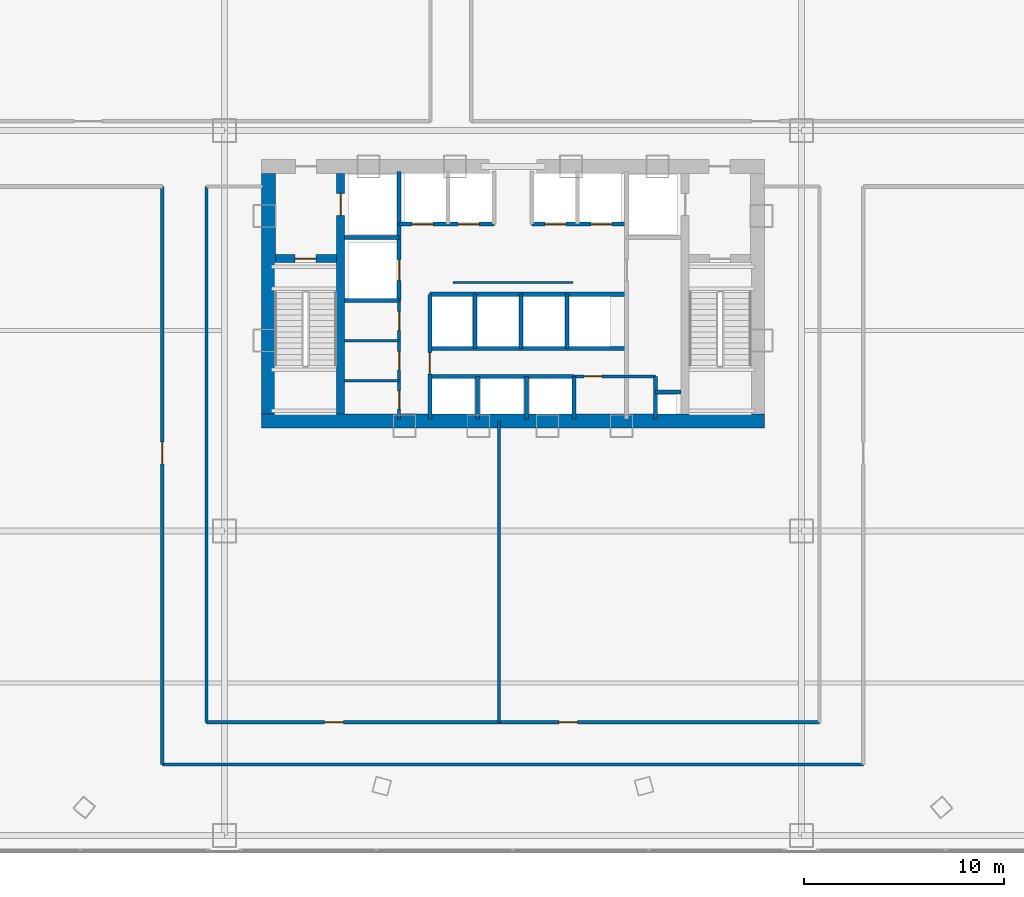
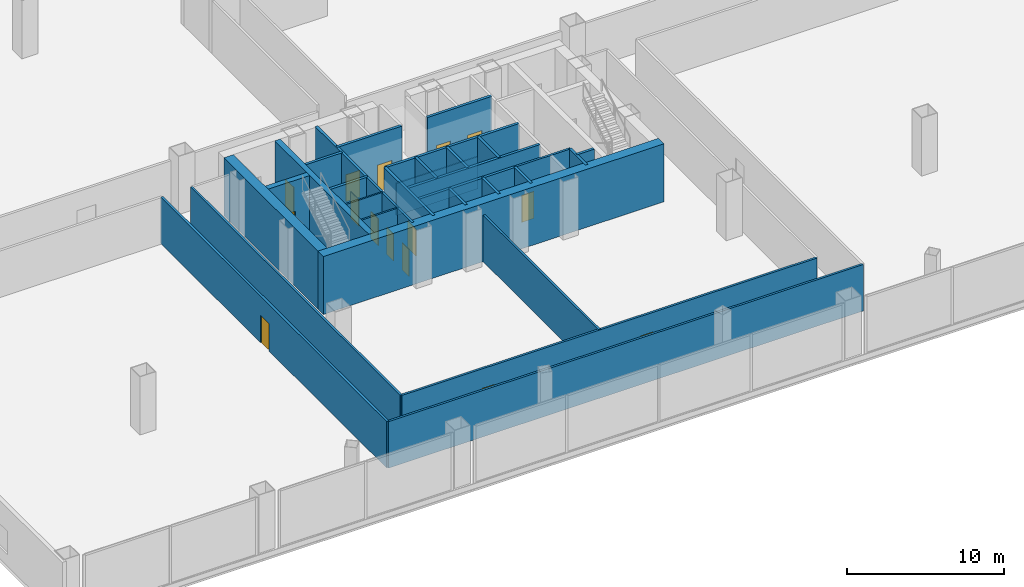
# One storey, part 33 of 40: 31 walls, 15 doors, 15 openings.
"""IFC4 building model written with IfcOpenShell, lengths in metres."""

from ifc_helpers import new_model, si_unit, direction, frame, frame_2d, origin, origin_with_axes, place, context, subcontext, project, spatial, rectangle, extrude, source, transform, mapped, material, layer, layer_set, type_object, element, fill, save


model = new_model("IFC4")

# Units and contexts
model_context = context("Model", 3, precision=1e-05, world=origin(), true_north=direction((0.0, 1.0)))
body_context = subcontext(model_context, "Body", "Model", "MODEL_VIEW")
ifc_project = project(units=[si_unit("LENGTHUNIT", "METRE"), si_unit("AREAUNIT", "SQUARE_METRE"), si_unit("VOLUMEUNIT", "CUBIC_METRE"), si_unit("PLANEANGLEUNIT", "RADIAN"), si_unit("MASSUNIT", "GRAM", prefix="KILO"), si_unit("THERMODYNAMICTEMPERATUREUNIT", "KELVIN"), si_unit("POWERUNIT", "WATT")], contexts=[model_context])

# Site, building, storey
site_placement = place(None, origin())
site = spatial("IfcSite", under=ifc_project, at=site_placement, CompositionType="ELEMENT")
building_placement = place(site_placement, origin())
building = spatial("IfcBuilding", under=site, at=building_placement, Name="Yunzhuo Pagoda Commons", CompositionType="ELEMENT")
storey_placement = place(building_placement, frame((0.0, 0.0, 14.39990234375)))
storey = spatial("IfcBuildingStorey", under=building, at=storey_placement, Name="L04", CompositionType="ELEMENT", Elevation=14.39990234375)

# Walls
ifc_material_1 = material(Name="Concrete C60", Category="concrete")
ifc_layer_1 = layer(ifc_material_1, 0.699951171875)
ifc_layer_set_1 = layer_set([ifc_layer_1], Name="Concrete C60")
wall_type_1 = type_object("IfcWallType", Name="W-C01 Lower Core Shear Wall 700", PredefinedType="SHEAR", material=ifc_layer_set_1)
wall_1_placement = place(storey_placement, frame((35.449951171875, 27.5, 0.0), z_axis=(0.0, 0.0, 1.0), x_axis=(1.0, 0.0, 0.0)))
element("IfcWall", 1, at=wall_1_placement, inside=storey, type_object=wall_type_1, Name="L04 core shear wall S", PredefinedType="SHEAR", context=body_context, shape_type="SweptSolid", body=[
    extrude(rectangle(XDim=25.10009765625, YDim=0.699951171875, at=frame_2d((12.550048828125, 0.0))), origin(), (0.0, 0.0, 1.0), 4.52001953125),
])
wall_2_placement = place(storey_placement, frame((35.800048828125, 27.85009765625, 0.0), z_axis=(0.0, 0.0, 1.0), x_axis=(0.0, 1.0, 0.0)))
element("IfcWall", 2, at=wall_2_placement, inside=storey, type_object=wall_type_1, Name="L04 core shear wall W", PredefinedType="SHEAR", context=body_context, shape_type="SweptSolid", body=[
    extrude(rectangle(XDim=12.0, YDim=0.699951171875, at=frame_2d((6.0, 0.0))), origin(), (0.0, 0.0, 1.0), 4.52001953125),
])

# Wall, openings, doors
ifc_material_2 = material(Name="Gypsum plasterboard on acoustic stud")
ifc_layer_2 = layer(ifc_material_2, 0.159912109375)
ifc_layer_set_2 = layer_set([ifc_layer_2], Name="Gypsum plasterboard on acoustic stud")
wall_type_2 = type_object("IfcWallType", Name="W-COR1 Tower Rated Corridor Wall 160", PredefinedType="PARTITIONING", material=ifc_layer_set_2)
wall_3_placement = place(storey_placement, frame((42.320068359375, 27.60009765625, 0.0), z_axis=(0.0, 0.0, 1.0), x_axis=(0.0, 1.0, 0.0)))
wall_3 = element("IfcWall", 3, at=wall_3_placement, inside=storey, type_object=wall_type_2, Name="L04 interior wall IW-L04-CSWE", PredefinedType="PARTITIONING", context=body_context, shape_type="SweptSolid", body=[
    extrude(rectangle(XDim=5.89990234375, YDim=0.159912109375, at=frame_2d((2.949951171875, 0.0))), origin(), (0.0, 0.0, 1.0), 4.52001953125),
])
opening_1_placement = place(wall_3_placement, frame((0.5, 0.0, 0.0)))
opening_1 = element("IfcOpeningElement", 4, at=opening_1_placement, cuts=wall_3, Name="Opening D-03", PredefinedType="OPENING", context=body_context, shape_type="SweptSolid", body=[
    extrude(rectangle(XDim=0.89990234375, YDim=2.10009765625, at=frame_2d((0.449951171875, 1.050048828125))), frame((0.0, 0.08984375, 0.0), z_axis=(0.0, -1.0, 0.0), x_axis=(1.0, 0.0, 0.0)), (0.0, 0.0, 1.0), 0.179931640625),
])
opening_2_placement = place(wall_3_placement, frame((2.449951171875, 0.0, 0.0)))
opening_2 = element("IfcOpeningElement", 5, at=opening_2_placement, cuts=wall_3, Name="Opening D-03", PredefinedType="OPENING", context=body_context, shape_type="SweptSolid", body=[
    extrude(rectangle(XDim=0.89990234375, YDim=2.10009765625, at=frame_2d((0.449951171875, 1.050048828125))), frame((0.0, 0.08984375, 0.0), z_axis=(0.0, -1.0, 0.0), x_axis=(1.0, 0.0, 0.0)), (0.0, 0.0, 1.0), 0.179931640625),
])
opening_3_placement = place(wall_3_placement, frame((4.419921875, 0.0, 0.0)))
opening_3 = element("IfcOpeningElement", 6, at=opening_3_placement, cuts=wall_3, Name="Opening D-11", PredefinedType="OPENING", context=body_context, shape_type="SweptSolid", body=[
    extrude(rectangle(XDim=0.93994140625, YDim=2.10009765625, at=frame_2d((0.469970703125, 1.050048828125))), frame((0.0, 0.08984375, 0.0), z_axis=(0.0, -1.0, 0.0), x_axis=(1.0, 0.0, 0.0)), (0.0, 0.0, 1.0), 0.179931640625),
])
ifc_material_3 = material(Name="Galvanized fire-resisting metal leaf")
door_type_1 = type_object("IfcDoorType", Name="D-03 Core Service Fire Door 900x2100", OperationType="NOTDEFINED", PredefinedType="DOOR", material=ifc_material_3)
shared_shape_1 = source(origin(), body_context, "Body", "SweptSolid", [
    extrude(rectangle(XDim=0.89990234375, YDim=2.10009765625, at=frame_2d((0.449951171875, 1.050048828125))), frame((0.0, 0.02490234375, 0.0), z_axis=(0.0, -1.0, 0.0), x_axis=(1.0, 0.0, 0.0)), (0.0, 0.0, 1.0), 0.050048828125),
])
door_1_placement = place(opening_1_placement, origin_with_axes())
door_1 = element("IfcDoor", 7, at=door_1_placement, inside=storey, type_object=door_type_1, Name="L04 switch door", OperationType="SINGLE_SWING_RIGHT", OverallHeight=2.10009765625, OverallWidth=0.89990234375, PredefinedType="DOOR", context=body_context, shape_type="MappedRepresentation", body=[
    mapped(shared_shape_1, transform((0.0, 0.0, 0.0), scale=1.0)),
])
fill(opening_1, door_1)
door_2_placement = place(opening_2_placement, origin_with_axes())
door_2 = element("IfcDoor", 8, at=door_2_placement, inside=storey, type_object=door_type_1, Name="L04 cleaner door", OperationType="SINGLE_SWING_RIGHT", OverallHeight=2.10009765625, OverallWidth=0.89990234375, PredefinedType="DOOR", context=body_context, shape_type="MappedRepresentation", body=[
    mapped(shared_shape_1, transform((0.0, 0.0, 0.0), scale=1.0)),
])
fill(opening_2, door_2)
door_type_2 = type_object("IfcDoorType", Name="D-11 Accessible Washroom Fire Door 940x2100", OperationType="NOTDEFINED", PredefinedType="DOOR", material=ifc_material_3)
shared_shape_2 = source(origin(), body_context, "Body", "SweptSolid", [
    extrude(rectangle(XDim=0.93994140625, YDim=2.10009765625, at=frame_2d((0.469970703125, 1.050048828125))), frame((0.0, 0.02490234375, 0.0), z_axis=(0.0, -1.0, 0.0), x_axis=(1.0, 0.0, 0.0)), (0.0, 0.0, 1.0), 0.050048828125),
])
door_3_placement = place(opening_3_placement, origin_with_axes())
door_3 = element("IfcDoor", 9, at=door_3_placement, inside=storey, type_object=door_type_2, Name="L04 core WC door", OperationType="SINGLE_SWING_LEFT", OverallHeight=2.10009765625, OverallWidth=0.93994140625, PredefinedType="DOOR", context=body_context, shape_type="MappedRepresentation", body=[
    mapped(shared_shape_2, transform((0.0, 0.0, 0.0), scale=1.0)),
])
fill(opening_3, door_3)

# Wall, opening, door
wall_4_placement = place(storey_placement, frame((51.050048828125, 29.719970703125, 0.0), z_axis=(0.0, 0.0, 1.0), x_axis=(1.0, 0.0, 0.0)))
wall_4 = element("IfcWall", 10, at=wall_4_placement, inside=storey, type_object=wall_type_2, Name="L04 interior wall IW-L04-CSES", PredefinedType="PARTITIONING", context=body_context, shape_type="SweptSolid", body=[
    extrude(rectangle(XDim=4.070068359375, YDim=0.159912109375, at=frame_2d((2.03515625, 0.0))), origin(), (0.0, 0.0, 1.0), 4.52001953125),
])
opening_4_placement = place(wall_4_placement, frame((0.5, 0.0, 0.0)))
opening_4 = element("IfcOpeningElement", 11, at=opening_4_placement, cuts=wall_4, Name="Opening D-03", PredefinedType="OPENING", context=body_context, shape_type="SweptSolid", body=[
    extrude(rectangle(XDim=0.89990234375, YDim=2.10009765625, at=frame_2d((0.449951171875, 1.050048828125))), frame((0.0, 0.08984375, 0.0), z_axis=(0.0, -1.0, 0.0), x_axis=(1.0, 0.0, 0.0)), (0.0, 0.0, 1.0), 0.179931640625),
])
door_4_placement = place(opening_4_placement, origin_with_axes())
door_4 = element("IfcDoor", 12, at=door_4_placement, inside=storey, type_object=door_type_1, Name="L04 core pantry door", OperationType="SINGLE_SWING_RIGHT", OverallHeight=2.10009765625, OverallWidth=0.89990234375, PredefinedType="DOOR", context=body_context, shape_type="MappedRepresentation", body=[
    mapped(shared_shape_1, transform((0.0, 0.0, 0.0), scale=1.0)),
])
fill(opening_4, door_4)

# Wall
wall_5_placement = place(storey_placement, frame((30.5, 10.35009765625, 0.0), z_axis=(0.0, 0.0, 1.0), x_axis=(1.0, 0.0, 0.0)))
element("IfcWall", 13, at=wall_5_placement, inside=storey, type_object=wall_type_2, Name="L04 interior wall IW-L04-PSOUT", PredefinedType="PARTITIONING", context=body_context, shape_type="SweptSolid", body=[
    extrude(rectangle(XDim=35.0, YDim=0.159912109375, at=frame_2d((17.5, 0.0))), origin(), (0.0, 0.0, 1.0), 3.6201171875),
])

# Wall, openings, doors
wall_6_placement = place(storey_placement, frame((32.699951171875, 12.449951171875, 0.0), z_axis=(0.0, 0.0, 1.0), x_axis=(1.0, 0.0, 0.0)))
wall_6 = element("IfcWall", 14, at=wall_6_placement, inside=storey, type_object=wall_type_2, Name="L04 interior wall IW-L04-PSMID", PredefinedType="PARTITIONING", context=body_context, shape_type="SweptSolid", body=[
    extrude(rectangle(XDim=30.60009765625, YDim=0.159912109375, at=frame_2d((15.300048828125, 0.0))), origin(), (0.0, 0.0, 1.0), 3.6201171875),
])
opening_5_placement = place(wall_6_placement, frame((17.60009765625, 0.0, 0.0)))
opening_5 = element("IfcOpeningElement", 15, at=opening_5_placement, cuts=wall_6, Name="Opening D-04", PredefinedType="OPENING", context=body_context, shape_type="SweptSolid", body=[
    extrude(rectangle(XDim=0.919921875, YDim=2.10009765625, at=frame_2d((0.4599609375, 1.050048828125))), frame((0.0, 0.08984375, 0.0), z_axis=(0.0, -1.0, 0.0), x_axis=(1.0, 0.0, 0.0)), (0.0, 0.0, 1.0), 0.179931640625),
])
opening_6_placement = place(wall_6_placement, frame((5.89990234375, 0.0, 0.0)))
opening_6 = element("IfcOpeningElement", 16, at=opening_6_placement, cuts=wall_6, Name="Opening D-11", PredefinedType="OPENING", context=body_context, shape_type="SweptSolid", body=[
    extrude(rectangle(XDim=0.93994140625, YDim=2.10009765625, at=frame_2d((0.469970703125, 1.050048828125))), frame((0.0, 0.08984375, 0.0), z_axis=(0.0, -1.0, 0.0), x_axis=(1.0, 0.0, 0.0)), (0.0, 0.0, 1.0), 0.179931640625),
])
door_5_placement = place(opening_6_placement, origin_with_axes())
door_5 = element("IfcDoor", 17, at=door_5_placement, inside=storey, type_object=door_type_2, Name="L04 washroom door", OperationType="SINGLE_SWING_RIGHT", OverallHeight=2.10009765625, OverallWidth=0.93994140625, PredefinedType="DOOR", context=body_context, shape_type="MappedRepresentation", body=[
    mapped(shared_shape_2, transform((0.0, 0.0, 0.0), scale=1.0)),
])
fill(opening_6, door_5)
ifc_material_4 = material(Name="Powder-coated aluminium and timber acoustic leaf", Category="wood")
door_type_3 = type_object("IfcDoorType", Name="D-04 Bedroom & Study Interior Door 920x2100", OperationType="NOTDEFINED", PredefinedType="DOOR", material=ifc_material_4)
shared_shape_3 = source(origin(), body_context, "Body", "SweptSolid", [
    extrude(rectangle(XDim=0.919921875, YDim=2.10009765625, at=frame_2d((0.4599609375, 1.050048828125))), frame((0.0, 0.02490234375, 0.0), z_axis=(0.0, -1.0, 0.0), x_axis=(1.0, 0.0, 0.0)), (0.0, 0.0, 1.0), 0.050048828125),
])
door_6_placement = place(opening_5_placement, origin_with_axes())
door_6 = element("IfcDoor", 18, at=door_6_placement, inside=storey, type_object=door_type_3, Name="L04 Project Meeting Room door", OperationType="SINGLE_SWING_LEFT", OverallHeight=2.10009765625, OverallWidth=0.919921875, PredefinedType="DOOR", context=body_context, shape_type="MappedRepresentation", body=[
    mapped(shared_shape_3, transform((0.0, 0.0, 0.0), scale=1.0)),
])
fill(opening_5, door_6)

# Walls
wall_7_placement = place(storey_placement, frame((32.699951171875, 12.449951171875, 0.0), z_axis=(0.0, 0.0, 1.0), x_axis=(0.0, 1.0, 0.0)))
element("IfcWall", 19, at=wall_7_placement, inside=storey, type_object=wall_type_2, Name="L04 interior wall IW-L04-PSMW", PredefinedType="PARTITIONING", context=body_context, shape_type="SweptSolid", body=[
    extrude(rectangle(XDim=26.75, YDim=0.159912109375, at=frame_2d((13.375, 0.0))), origin(), (0.0, 0.0, 1.0), 3.6201171875),
])
wall_8_placement = place(storey_placement, frame((47.300048828125, 12.449951171875, 0.0), z_axis=(0.0, 0.0, 1.0), x_axis=(0.0, 1.0, 0.0)))
element("IfcWall", 20, at=wall_8_placement, inside=storey, type_object=wall_type_2, Name="L04 interior wall IW-L04-PWCDV", PredefinedType="PARTITIONING", context=body_context, shape_type="SweptSolid", body=[
    extrude(rectangle(XDim=15.050048828125, YDim=0.159912109375, at=frame_2d((7.52490234375, 0.0))), origin(), (0.0, 0.0, 1.0), 3.6201171875),
])
ifc_material_5 = material(Name="Anodized aluminium 6063-T6", Category="aluminium")
ifc_layer_3 = layer(ifc_material_5, 0.110107421875)
ifc_layer_set_3 = layer_set([ifc_layer_3], Name="Anodized aluminium 6063-T6")
wall_type_3 = type_object("IfcWallType", Name="W-MOV1 Operable Seminar Partition 110", PredefinedType="MOVABLE", material=ifc_layer_set_3)
wall_9_placement = place(storey_placement, frame((45.0, 34.39990234375, 0.0), z_axis=(0.0, 0.0, 1.0), x_axis=(1.0, 0.0, 0.0)))
element("IfcWall", 21, at=wall_9_placement, inside=storey, type_object=wall_type_3, Name="L04 acoustic movable lobby screen", PredefinedType="MOVABLE", context=body_context, shape_type="SweptSolid", body=[
    extrude(rectangle(XDim=6.0, YDim=0.110107421875, at=frame_2d((3.0, 0.0))), origin(), (0.0, 0.0, 1.0), 2.5),
])
ifc_layer_4 = layer(ifc_material_2, 0.1201171875)
ifc_layer_set_4 = layer_set([ifc_layer_4], Name="Gypsum plasterboard on acoustic stud")
wall_type_4 = type_object("IfcWallType", Name="W-PRT1 Suite & Bathroom Partition 120", PredefinedType="PARTITIONING", material=ifc_layer_set_4)
for number, where, z_axis, x_axis, name in (
    (22, (39.60009765625, 29.5, 0.0), (0.0, 0.0, 1.0), (1.0, 0.0, 0.0), "L04 interior wall IW-L04-CC1"),
    (23, (39.60009765625, 31.5, 0.0), (0.0, 0.0, 1.0), (1.0, 0.0, 0.0), "L04 interior wall IW-L04-CC2"),
):
    element("IfcWall", number, at=place(storey_placement, frame(where, z_axis=z_axis, x_axis=x_axis)), inside=storey, type_object=wall_type_4, Name=name, PredefinedType="PARTITIONING", context=body_context, shape_type="SweptSolid", body=[
        extrude(rectangle(XDim=2.719970703125, YDim=0.1201171875, at=frame_2d((1.35986328125, 0.0))), origin(), (0.0, 0.0, 1.0), 4.52001953125),
    ])

# Wall, opening, door
ifc_layer_5 = layer(ifc_material_2, 0.179931640625)
ifc_layer_set_5 = layer_set([ifc_layer_5], Name="Gypsum plasterboard on acoustic stud")
wall_type_5 = type_object("IfcWallType", Name="W-PRT2 Acoustic Unit Demising Wall 180", PredefinedType="PARTITIONING", material=ifc_layer_set_5)
wall_10_placement = place(storey_placement, frame((30.5, 10.35009765625, 0.0), z_axis=(0.0, 0.0, 1.0), x_axis=(0.0, 1.0, 0.0)))
wall_10 = element("IfcWall", 24, at=wall_10_placement, inside=storey, type_object=wall_type_5, Name="L04 interior wall IW-L04-PWEST", PredefinedType="PARTITIONING", context=body_context, shape_type="SweptSolid", body=[
    extrude(rectangle(XDim=28.849853515625, YDim=0.179931640625, at=frame_2d((14.4248046875, 0.0))), origin(), (0.0, 0.0, 1.0), 3.6201171875),
])
opening_7_placement = place(wall_10_placement, frame((15.0, 0.0, 0.0)))
opening_7 = element("IfcOpeningElement", 25, at=opening_7_placement, cuts=wall_10, Name="Opening D-09", PredefinedType="OPENING", context=body_context, shape_type="SweptSolid", body=[
    extrude(rectangle(XDim=1.10009765625, YDim=2.14990234375, at=frame_2d((0.550048828125, 1.074951171875))), frame((0.0, 0.10009765625, 0.0), z_axis=(0.0, -1.0, 0.0), x_axis=(1.0, 0.0, 0.0)), (0.0, 0.0, 1.0), 0.199951171875),
])
door_type_4 = type_object("IfcDoorType", Name="D-09 Podium Commons Hall Fire Door 1100x2150", OperationType="NOTDEFINED", PredefinedType="DOOR", material=ifc_material_3)
shared_shape_4 = source(origin(), body_context, "Body", "SweptSolid", [
    extrude(rectangle(XDim=1.10009765625, YDim=2.14990234375, at=frame_2d((0.550048828125, 1.074951171875))), frame((0.0, 0.02490234375, 0.0), z_axis=(0.0, -1.0, 0.0), x_axis=(1.0, 0.0, 0.0)), (0.0, 0.0, 1.0), 0.050048828125),
])
door_7_placement = place(opening_7_placement, origin_with_axes())
door_7 = element("IfcDoor", 26, at=door_7_placement, inside=storey, type_object=door_type_4, Name="L04 Digital Media Lab door", OperationType="SINGLE_SWING_LEFT", OverallHeight=2.14990234375, OverallWidth=1.10009765625, PredefinedType="DOOR", context=body_context, shape_type="MappedRepresentation", body=[
    mapped(shared_shape_4, transform((0.0, 0.0, 0.0), scale=1.0)),
])
fill(opening_7, door_7)

ifc_layer_6 = layer(ifc_material_1, 0.39990234375)
ifc_layer_set_6 = layer_set([ifc_layer_6], Name="Concrete C60")
wall_type_6 = type_object("IfcWallType", Name="W-S01 Internal Core Shear Web 400", PredefinedType="SHEAR", material=ifc_layer_set_6)
wall_11_placement = place(storey_placement, frame((39.39990234375, 27.85009765625, 0.0), z_axis=(0.0, 0.0, 1.0), x_axis=(0.0, 1.0, 0.0)))
wall_11 = element("IfcWall", 27, at=wall_11_placement, inside=storey, type_object=wall_type_6, Name="L04 core shear wall WEBW", PredefinedType="SHEAR", context=body_context, shape_type="SweptSolid", body=[
    extrude(rectangle(XDim=12.0, YDim=0.39990234375, at=frame_2d((6.0, 0.0))), origin(), (0.0, 0.0, 1.0), 4.52001953125),
])
opening_8_placement = place(wall_11_placement, frame((9.89990234375, 0.0, 0.0)))
opening_8 = element("IfcOpeningElement", 28, at=opening_8_placement, cuts=wall_11, Name="Opening LD-01", PredefinedType="OPENING", context=body_context, shape_type="SweptSolid", body=[
    extrude(rectangle(XDim=1.10009765625, YDim=2.10009765625, at=frame_2d((0.550048828125, 1.050048828125))), frame((0.0, 0.2099609375, 0.0), z_axis=(0.0, -1.0, 0.0), x_axis=(1.0, 0.0, 0.0)), (0.0, 0.0, 1.0), 0.419921875),
])
door_type_5 = type_object("IfcDoorType", Name="LD-01 Firefighting Lift Landing Door 1100x2100", OperationType="DOUBLE_DOOR_SLIDING", PredefinedType="DOOR", material=ifc_material_3)
shared_shape_5 = source(origin(), body_context, "Body", "SweptSolid", [
    extrude(rectangle(XDim=1.10009765625, YDim=2.10009765625, at=frame_2d((0.550048828125, 1.050048828125))), frame((0.0, 0.02490234375, 0.0), z_axis=(0.0, -1.0, 0.0), x_axis=(1.0, 0.0, 0.0)), (0.0, 0.0, 1.0), 0.050048828125),
])
door_8_placement = place(opening_8_placement, frame((1.10009765625, 0.0, 0.0), z_axis=(0.0, 0.0, 1.0), x_axis=(-1.0, 0.0, 0.0)))
door_8 = element("IfcDoor", 29, at=door_8_placement, inside=storey, type_object=door_type_5, Name="L04 Firefighting lift FL-1 landing door", OperationType="DOUBLE_DOOR_SLIDING", OverallHeight=2.10009765625, OverallWidth=1.10009765625, PredefinedType="DOOR", context=body_context, shape_type="MappedRepresentation", body=[
    mapped(shared_shape_5, transform((0.0, 0.0, 0.0), scale=1.0)),
])
fill(opening_8, door_8)

wall_12_placement = place(storey_placement, frame((36.14990234375, 35.60009765625, 0.0), z_axis=(0.0, 0.0, 1.0), x_axis=(1.0, 0.0, 0.0)))
wall_12 = element("IfcWall", 30, at=wall_12_placement, inside=storey, type_object=wall_type_6, Name="L04 core shear wall STW", PredefinedType="SHEAR", context=body_context, shape_type="SweptSolid", body=[
    extrude(rectangle(XDim=3.050048828125, YDim=0.39990234375, at=frame_2d((1.52490234375, 0.0))), origin(), (0.0, 0.0, 1.0), 4.52001953125),
])
opening_9_placement = place(wall_12_placement, frame((0.969970703125, 0.0, 0.0)))
opening_9 = element("IfcOpeningElement", 31, at=opening_9_placement, cuts=wall_12, Name="Opening D-01", PredefinedType="OPENING", context=body_context, shape_type="SweptSolid", body=[
    extrude(rectangle(XDim=1.050048828125, YDim=2.10009765625, at=frame_2d((0.52490234375, 1.050048828125))), frame((0.0, 0.2099609375, 0.0), z_axis=(0.0, -1.0, 0.0), x_axis=(1.0, 0.0, 0.0)), (0.0, 0.0, 1.0), 0.419921875),
])
door_type_6 = type_object("IfcDoorType", Name="D-01 Smokeproof Stair Fire Door 1050x2100", OperationType="NOTDEFINED", PredefinedType="DOOR", material=ifc_material_3)
shared_shape_6 = source(origin(), body_context, "Body", "SweptSolid", [
    extrude(rectangle(XDim=1.050048828125, YDim=2.10009765625, at=frame_2d((0.52490234375, 1.050048828125))), frame((0.0, 0.02490234375, 0.0), z_axis=(0.0, -1.0, 0.0), x_axis=(1.0, 0.0, 0.0)), (0.0, 0.0, 1.0), 0.050048828125),
])
door_9_placement = place(opening_9_placement, frame((1.050048828125, 0.0, 0.0), z_axis=(0.0, 0.0, 1.0), x_axis=(-1.0, 0.0, 0.0)))
door_9 = element("IfcDoor", 32, at=door_9_placement, inside=storey, type_object=door_type_6, Name="L04 Stair ST1 fire door", OperationType="SINGLE_SWING_LEFT", OverallHeight=2.10009765625, OverallWidth=1.050048828125, PredefinedType="DOOR", context=body_context, shape_type="MappedRepresentation", body=[
    mapped(shared_shape_6, transform((0.0, 0.0, 0.0), scale=1.0)),
])
fill(opening_9, door_9)

ifc_material_6 = material(Name="Concrete C40", Category="concrete")
ifc_layer_7 = layer(ifc_material_6, 0.199951171875)
ifc_layer_set_7 = layer_set([ifc_layer_7], Name="Concrete C40")
wall_type_7 = type_object("IfcWallType", Name="W-SHF Shaft & Stair Enclosure Wall 200", PredefinedType="SOLIDWALL", material=ifc_layer_set_7)
wall_13_placement = place(storey_placement, frame((42.320068359375, 33.5, 0.0), z_axis=(0.0, 0.0, 1.0), x_axis=(0.0, 1.0, 0.0)))
wall_13 = element("IfcWall", 33, at=wall_13_placement, inside=storey, type_object=wall_type_7, Name="L04 interior wall IW-L04-FL1E", PredefinedType="SOLIDWALL", context=body_context, shape_type="SweptSolid", body=[
    extrude(rectangle(XDim=6.449951171875, YDim=0.199951171875, at=frame_2d((3.22509765625, 0.0))), origin(), (0.0, 0.0, 1.0), 4.52001953125),
])
opening_10_placement = place(wall_13_placement, frame((1.0, 0.0, 0.0)))
opening_10 = element("IfcOpeningElement", 34, at=opening_10_placement, cuts=wall_13, Name="Opening LD-02", PredefinedType="OPENING", context=body_context, shape_type="SweptSolid", body=[
    extrude(rectangle(XDim=1.050048828125, YDim=2.10009765625, at=frame_2d((0.52490234375, 1.050048828125))), frame((0.0, 0.10986328125, 0.0), z_axis=(0.0, -1.0, 0.0), x_axis=(1.0, 0.0, 0.0)), (0.0, 0.0, 1.0), 0.219970703125),
])
door_type_7 = type_object("IfcDoorType", Name="LD-02 Passenger Lift Landing Door 1050x2100", OperationType="DOUBLE_DOOR_SLIDING", PredefinedType="DOOR", material=ifc_material_3)
door_10_placement = place(opening_10_placement, origin_with_axes())
door_10 = element("IfcDoor", 35, at=door_10_placement, inside=storey, type_object=door_type_7, Name="L04 Service lift SL-1 landing door", OperationType="DOUBLE_DOOR_SLIDING", OverallHeight=2.10009765625, OverallWidth=1.050048828125, PredefinedType="DOOR", context=body_context, shape_type="MappedRepresentation", body=[
    mapped(shared_shape_6, transform((0.0, 0.0, 0.0), scale=1.0)),
])
fill(opening_10, door_10)

# Walls
for number, where, z_axis, x_axis, name in (
    (36, (39.60009765625, 36.64990234375, 0.0), (0.0, 0.0, 1.0), (1.0, 0.0, 0.0), "L04 interior wall IW-L04-FL1S"),
    (37, (39.60009765625, 33.5, 0.0), (0.0, 0.0, 1.0), (1.0, 0.0, 0.0), "L04 interior wall IW-L04-SL1S"),
):
    element("IfcWall", number, at=place(storey_placement, frame(where, z_axis=z_axis, x_axis=x_axis)), inside=storey, type_object=wall_type_7, Name=name, PredefinedType="SOLIDWALL", context=body_context, shape_type="SweptSolid", body=[
        extrude(rectangle(XDim=2.719970703125, YDim=0.199951171875, at=frame_2d((1.35986328125, 0.0))), origin(), (0.0, 0.0, 1.0), 4.52001953125),
    ])

# Wall, openings, doors
wall_14_placement = place(storey_placement, frame((42.320068359375, 37.320068359375, 0.0), z_axis=(0.0, 0.0, 1.0), x_axis=(1.0, 0.0, 0.0)))
wall_14 = element("IfcWall", 38, at=wall_14_placement, inside=storey, type_object=wall_type_7, Name="L04 interior wall IW-L04-LBNW", PredefinedType="SOLIDWALL", context=body_context, shape_type="SweptSolid", body=[
    extrude(rectangle(XDim=4.72998046875, YDim=0.199951171875, at=frame_2d((2.364990234375, 0.0))), origin(), (0.0, 0.0, 1.0), 4.52001953125),
])
opening_11_placement = place(wall_14_placement, frame((0.64990234375, 0.0, 0.0)))
opening_11 = element("IfcOpeningElement", 39, at=opening_11_placement, cuts=wall_14, Name="Opening LD-02", PredefinedType="OPENING", context=body_context, shape_type="SweptSolid", body=[
    extrude(rectangle(XDim=1.050048828125, YDim=2.10009765625, at=frame_2d((0.52490234375, 1.050048828125))), frame((0.0, 0.10986328125, 0.0), z_axis=(0.0, -1.0, 0.0), x_axis=(1.0, 0.0, 0.0)), (0.0, 0.0, 1.0), 0.219970703125),
])
opening_12_placement = place(wall_14_placement, frame((2.949951171875, 0.0, 0.0)))
opening_12 = element("IfcOpeningElement", 40, at=opening_12_placement, cuts=wall_14, Name="Opening LD-02", PredefinedType="OPENING", context=body_context, shape_type="SweptSolid", body=[
    extrude(rectangle(XDim=1.050048828125, YDim=2.10009765625, at=frame_2d((0.52490234375, 1.050048828125))), frame((0.0, 0.10986328125, 0.0), z_axis=(0.0, -1.0, 0.0), x_axis=(1.0, 0.0, 0.0)), (0.0, 0.0, 1.0), 0.219970703125),
])
door_11_placement = place(opening_11_placement, frame((1.050048828125, 0.0, 0.0), z_axis=(0.0, 0.0, 1.0), x_axis=(-1.0, 0.0, 0.0)))
door_11 = element("IfcDoor", 41, at=door_11_placement, inside=storey, type_object=door_type_7, Name="L04 Passenger lift PL-L1 landing door", OperationType="DOUBLE_DOOR_SLIDING", OverallHeight=2.10009765625, OverallWidth=1.050048828125, PredefinedType="DOOR", context=body_context, shape_type="MappedRepresentation", body=[
    mapped(shared_shape_6, transform((0.0, 0.0, 0.0), scale=1.0)),
])
fill(opening_11, door_11)
door_12_placement = place(opening_12_placement, frame((1.050048828125, 0.0, 0.0), z_axis=(0.0, 0.0, 1.0), x_axis=(-1.0, 0.0, 0.0)))
door_12 = element("IfcDoor", 42, at=door_12_placement, inside=storey, type_object=door_type_7, Name="L04 Passenger lift PL-L2 landing door", OperationType="DOUBLE_DOOR_SLIDING", OverallHeight=2.10009765625, OverallWidth=1.050048828125, PredefinedType="DOOR", context=body_context, shape_type="MappedRepresentation", body=[
    mapped(shared_shape_6, transform((0.0, 0.0, 0.0), scale=1.0)),
])
fill(opening_12, door_12)

wall_15_placement = place(storey_placement, frame((48.949951171875, 37.320068359375, 0.0), z_axis=(0.0, 0.0, 1.0), x_axis=(1.0, 0.0, 0.0)))
wall_15 = element("IfcWall", 43, at=wall_15_placement, inside=storey, type_object=wall_type_7, Name="L04 interior wall IW-L04-LBNE", PredefinedType="SOLIDWALL", context=body_context, shape_type="SweptSolid", body=[
    extrude(rectangle(XDim=4.72998046875, YDim=0.199951171875, at=frame_2d((2.364990234375, 0.0))), origin(), (0.0, 0.0, 1.0), 4.52001953125),
])
opening_13_placement = place(wall_15_placement, frame((0.64990234375, 0.0, 0.0)))
opening_13 = element("IfcOpeningElement", 44, at=opening_13_placement, cuts=wall_15, Name="Opening LD-02", PredefinedType="OPENING", context=body_context, shape_type="SweptSolid", body=[
    extrude(rectangle(XDim=1.050048828125, YDim=2.10009765625, at=frame_2d((0.52490234375, 1.050048828125))), frame((0.0, 0.10986328125, 0.0), z_axis=(0.0, -1.0, 0.0), x_axis=(1.0, 0.0, 0.0)), (0.0, 0.0, 1.0), 0.219970703125),
])
opening_14_placement = place(wall_15_placement, frame((2.949951171875, 0.0, 0.0)))
opening_14 = element("IfcOpeningElement", 45, at=opening_14_placement, cuts=wall_15, Name="Opening LD-02", PredefinedType="OPENING", context=body_context, shape_type="SweptSolid", body=[
    extrude(rectangle(XDim=1.050048828125, YDim=2.10009765625, at=frame_2d((0.52490234375, 1.050048828125))), frame((0.0, 0.10986328125, 0.0), z_axis=(0.0, -1.0, 0.0), x_axis=(1.0, 0.0, 0.0)), (0.0, 0.0, 1.0), 0.219970703125),
])
door_13_placement = place(opening_13_placement, frame((1.050048828125, 0.0, 0.0), z_axis=(0.0, 0.0, 1.0), x_axis=(-1.0, 0.0, 0.0)))
door_13 = element("IfcDoor", 46, at=door_13_placement, inside=storey, type_object=door_type_7, Name="L04 Passenger lift PL-L3 landing door", OperationType="DOUBLE_DOOR_SLIDING", OverallHeight=2.10009765625, OverallWidth=1.050048828125, PredefinedType="DOOR", context=body_context, shape_type="MappedRepresentation", body=[
    mapped(shared_shape_6, transform((0.0, 0.0, 0.0), scale=1.0)),
])
fill(opening_13, door_13)
door_14_placement = place(opening_14_placement, frame((1.050048828125, 0.0, 0.0), z_axis=(0.0, 0.0, 1.0), x_axis=(-1.0, 0.0, 0.0)))
door_14 = element("IfcDoor", 47, at=door_14_placement, inside=storey, type_object=door_type_7, Name="L04 Passenger lift PL-L4 landing door", OperationType="DOUBLE_DOOR_SLIDING", OverallHeight=2.10009765625, OverallWidth=1.050048828125, PredefinedType="DOOR", context=body_context, shape_type="MappedRepresentation", body=[
    mapped(shared_shape_6, transform((0.0, 0.0, 0.0), scale=1.0)),
])
fill(opening_14, door_14)

# Wall
wall_16_placement = place(storey_placement, frame((43.85009765625, 33.820068359375, 0.0), z_axis=(0.0, 0.0, 1.0), x_axis=(1.0, 0.0, 0.0)))
element("IfcWall", 48, at=wall_16_placement, inside=storey, type_object=wall_type_7, Name="L04 interior wall IW-L04-MLBS", PredefinedType="SOLIDWALL", context=body_context, shape_type="SweptSolid", body=[
    extrude(rectangle(XDim=9.829833984375, YDim=0.199951171875, at=frame_2d((4.9150390625, 0.0))), origin(), (0.0, 0.0, 1.0), 4.52001953125),
])

# Wall, opening, door
wall_17_placement = place(storey_placement, frame((43.85009765625, 27.60009765625, 0.0), z_axis=(0.0, 0.0, 1.0), x_axis=(0.0, 1.0, 0.0)))
wall_17 = element("IfcWall", 49, at=wall_17_placement, inside=storey, type_object=wall_type_7, Name="L04 interior wall IW-L04-PLMW", PredefinedType="SOLIDWALL", context=body_context, shape_type="SweptSolid", body=[
    extrude(rectangle(XDim=6.219970703125, YDim=0.199951171875, at=frame_2d((3.10986328125, 0.0))), origin(), (0.0, 0.0, 1.0), 4.52001953125),
])
opening_15_placement = place(wall_17_placement, frame((2.25, 0.0, 0.0)))
opening_15 = element("IfcOpeningElement", 50, at=opening_15_placement, cuts=wall_17, Name="Opening D-02", PredefinedType="OPENING", context=body_context, shape_type="SweptSolid", body=[
    extrude(rectangle(XDim=1.050048828125, YDim=2.10009765625, at=frame_2d((0.52490234375, 1.050048828125))), frame((0.0, 0.10986328125, 0.0), z_axis=(0.0, -1.0, 0.0), x_axis=(1.0, 0.0, 0.0)), (0.0, 0.0, 1.0), 0.219970703125),
])
door_type_8 = type_object("IfcDoorType", Name="D-02 Firefighting Lobby & Refuge Fire Door 1050x2100", OperationType="NOTDEFINED", PredefinedType="DOOR", material=ifc_material_3)
door_15_placement = place(opening_15_placement, frame((1.050048828125, 0.0, 0.0), z_axis=(0.0, 0.0, 1.0), x_axis=(-1.0, 0.0, 0.0)))
door_15 = element("IfcDoor", 51, at=door_15_placement, inside=storey, type_object=door_type_8, Name="L04 High-bank hall west door", OperationType="SINGLE_SWING_LEFT", OverallHeight=2.10009765625, OverallWidth=1.050048828125, PredefinedType="DOOR", context=body_context, shape_type="MappedRepresentation", body=[
    mapped(shared_shape_6, transform((0.0, 0.0, 0.0), scale=1.0)),
])
fill(opening_15, door_15)

# Walls
for number, where, z_axis, x_axis, name in (
    (52, (46.10009765625, 31.1201171875, 0.0), (0.0, 0.0, 1.0), (0.0, 1.0, 0.0), "L04 interior wall IW-L04-PLMD1"),
    (53, (48.39990234375, 31.1201171875, 0.0), (0.0, 0.0, 1.0), (0.0, 1.0, 0.0), "L04 interior wall IW-L04-PLMD2"),
    (54, (50.699951171875, 31.1201171875, 0.0), (0.0, 0.0, 1.0), (0.0, 1.0, 0.0), "L04 interior wall IW-L04-PLMD3"),
):
    element("IfcWall", number, at=place(storey_placement, frame(where, z_axis=z_axis, x_axis=x_axis)), inside=storey, type_object=wall_type_7, Name=name, PredefinedType="SOLIDWALL", context=body_context, shape_type="SweptSolid", body=[
        extrude(rectangle(XDim=2.699951171875, YDim=0.199951171875, at=frame_2d((1.35009765625, 0.0))), origin(), (0.0, 0.0, 1.0), 4.52001953125),
    ])
wall_18_placement = place(storey_placement, frame((43.85009765625, 29.719970703125, 0.0), z_axis=(0.0, 0.0, 1.0), x_axis=(1.0, 0.0, 0.0)))
element("IfcWall", 55, at=wall_18_placement, inside=storey, type_object=wall_type_7, Name="L04 interior wall IW-L04-PLHN", PredefinedType="SOLIDWALL", context=body_context, shape_type="SweptSolid", body=[
    extrude(rectangle(XDim=7.199951171875, YDim=0.199951171875, at=frame_2d((3.60009765625, 0.0))), origin(), (0.0, 0.0, 1.0), 4.52001953125),
])
wall_19_placement = place(storey_placement, frame((51.050048828125, 27.60009765625, 0.0), z_axis=(0.0, 0.0, 1.0), x_axis=(0.0, 1.0, 0.0)))
element("IfcWall", 56, at=wall_19_placement, inside=storey, type_object=wall_type_7, Name="L04 interior wall IW-L04-PLHE", PredefinedType="SOLIDWALL", context=body_context, shape_type="SweptSolid", body=[
    extrude(rectangle(XDim=2.119873046875, YDim=0.199951171875, at=frame_2d((1.06005859375, 0.0))), origin(), (0.0, 0.0, 1.0), 4.52001953125),
])
wall_20_placement = place(storey_placement, frame((43.85009765625, 31.1201171875, 0.0), z_axis=(0.0, 0.0, 1.0), x_axis=(1.0, 0.0, 0.0)))
element("IfcWall", 57, at=wall_20_placement, inside=storey, type_object=wall_type_7, Name="L04 interior wall IW-L04-PLMS2", PredefinedType="SOLIDWALL", context=body_context, shape_type="SweptSolid", body=[
    extrude(rectangle(XDim=9.829833984375, YDim=0.199951171875, at=frame_2d((4.9150390625, 0.0))), origin(), (0.0, 0.0, 1.0), 4.52001953125),
])
for number, where, z_axis, x_axis, name in (
    (58, (46.22509765625, 27.60009765625, 0.0), (0.0, 0.0, 1.0), (0.0, 1.0, 0.0), "L04 interior wall IW-L04-PLHD1"),
    (59, (48.675048828125, 27.60009765625, 0.0), (0.0, 0.0, 1.0), (0.0, 1.0, 0.0), "L04 interior wall IW-L04-PLHD2"),
    (60, (55.1201171875, 27.60009765625, 0.0), (0.0, 0.0, 1.0), (0.0, 1.0, 0.0), "L04 interior wall IW-L04-RSHFW"),
):
    element("IfcWall", number, at=place(storey_placement, frame(where, z_axis=z_axis, x_axis=x_axis)), inside=storey, type_object=wall_type_7, Name=name, PredefinedType="SOLIDWALL", context=body_context, shape_type="SweptSolid", body=[
        extrude(rectangle(XDim=2.119873046875, YDim=0.199951171875, at=frame_2d((1.06005859375, 0.0))), origin(), (0.0, 0.0, 1.0), 4.52001953125),
    ])
wall_21_placement = place(storey_placement, frame((55.1201171875, 28.949951171875, 0.0), z_axis=(0.0, 0.0, 1.0), x_axis=(1.0, 0.0, 0.0)))
element("IfcWall", 61, at=wall_21_placement, inside=storey, type_object=wall_type_7, Name="L04 interior wall IW-L04-RSHFN", PredefinedType="SOLIDWALL", context=body_context, shape_type="SweptSolid", body=[
    extrude(rectangle(XDim=1.27978515625, YDim=0.199951171875, at=frame_2d((0.639892578125, 0.0))), origin(), (0.0, 0.0, 1.0), 4.52001953125),
])

save(model, "model.ifc")
